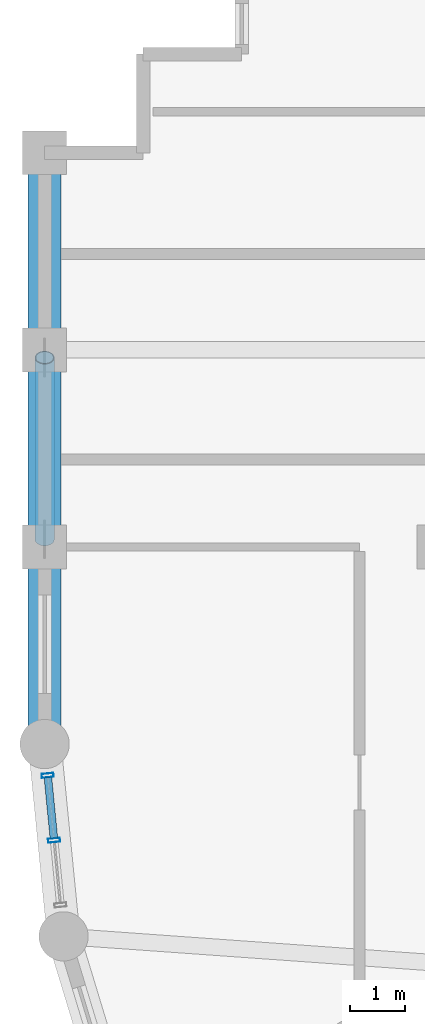
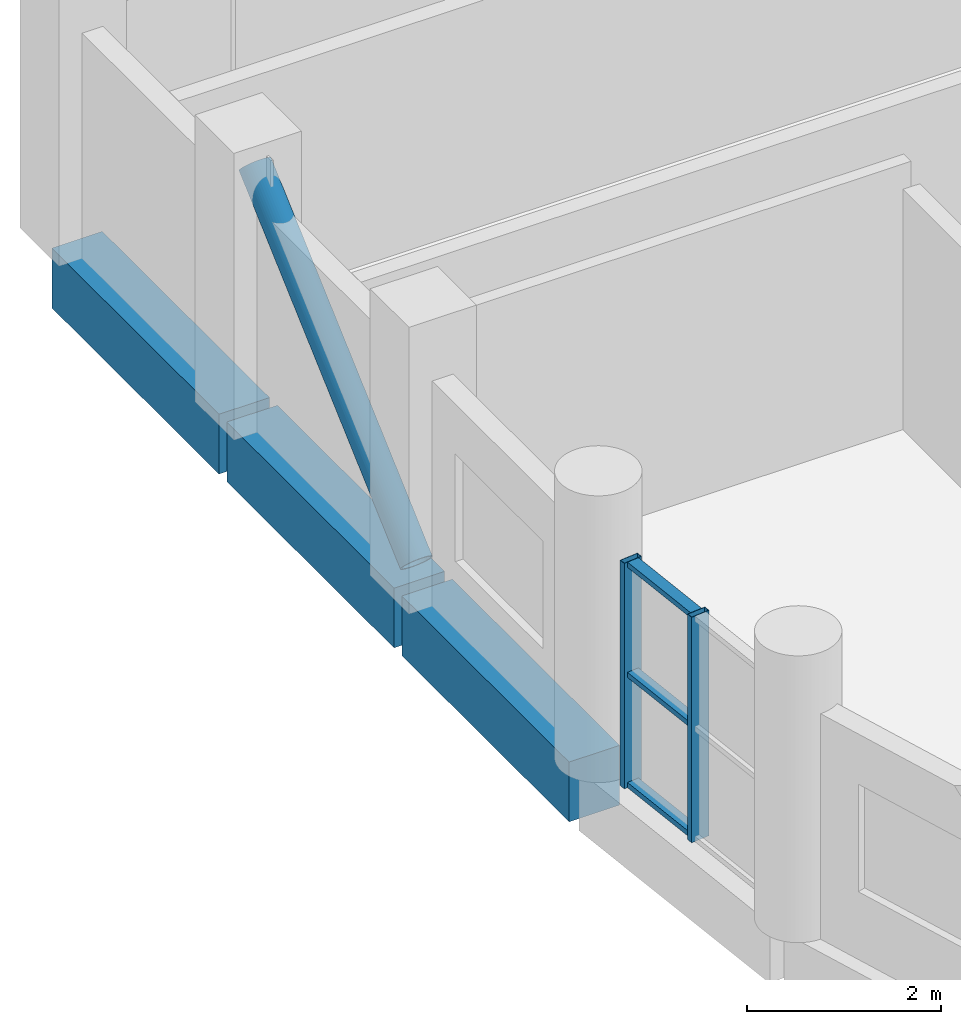
# One storey, part 5 of 11: 6 members, 3 beams, 1 element without a shape of its own.
"""IFC4 building model written with IfcOpenShell, lengths in metres."""

from ifc_helpers import new_model, si_unit, direction, frame, origin, origin_2d, place, context, subcontext, project, spatial, rectangle, hollow_rectangle, hollow_circle, extrude, material, layer, layer_set, material_profile, profile_set, type_object, element, aggregate, save


model = new_model("IFC4")

# Units and contexts
model_context = context("Model", 3, precision=1e-05, world=origin(), true_north=direction((0.0, 1.0)))
body_context = subcontext(model_context, "Body", "Model", "MODEL_VIEW")
ifc_project = project(units=[si_unit("LENGTHUNIT", "METRE"), si_unit("AREAUNIT", "SQUARE_METRE"), si_unit("VOLUMEUNIT", "CUBIC_METRE"), si_unit("PLANEANGLEUNIT", "RADIAN"), si_unit("MASSUNIT", "GRAM", prefix="KILO")], contexts=[model_context])

# Site, building, storey
site_placement = place(None, origin())
site = spatial("IfcSite", under=ifc_project, at=site_placement, CompositionType="ELEMENT")
building_placement = place(site_placement, origin())
building = spatial("IfcBuilding", under=site, at=building_placement, Name="Solnavia Interchange Tower", CompositionType="ELEMENT")
storey_placement = place(building_placement, frame((0.0, 0.0, 273.800048828125)))
storey = spatial("IfcBuildingStorey", under=building, at=storey_placement, Name="L69", CompositionType="ELEMENT", Elevation=273.800048828125)

# Beams
ifc_material_1 = material(Name="Concrete C50/60", Category="concrete")
ifc_material_profile_1 = material_profile(ifc_material_1, rectangle(XDim=0.60009765625, YDim=0.75, at=origin_2d()), Name="RC 600x750")
ifc_profile_set_1 = profile_set([ifc_material_profile_1], Name="Concrete C50/60")
beam_type = type_object("IfcBeamType", Name="Beam-Spandrel-RC600x750", PredefinedType="SPANDREL", material=ifc_profile_set_1)
beam_1_placement = place(storey_placement, frame((7.199951171875, 32.320068359375, -0.375), z_axis=(0.0, -1.0, 0.0), x_axis=(1.0, 0.0, 0.0)))
element("IfcBeam", 1, at=beam_1_placement, inside=storey, type_object=beam_type, Name="SPB-L69-25 Framed-tube perimeter spandrel beam", PredefinedType="SPANDREL", context=body_context, shape_type="SweptSolid", body=[
    extrude(rectangle(XDim=0.60009765625, YDim=0.75, at=origin_2d()), origin(), (0.0, 0.0, 1.0), 3.440185546875),
])
beam_2_placement = place(storey_placement, frame((7.199951171875, 28.719970703125, -0.375), z_axis=(0.0, -1.0, 0.0), x_axis=(1.0, 0.0, 0.0)))
element("IfcBeam", 2, at=beam_2_placement, inside=storey, type_object=beam_type, Name="SPB-L69-26 Framed-tube perimeter spandrel beam", PredefinedType="SPANDREL", context=body_context, shape_type="SweptSolid", body=[
    extrude(rectangle(XDim=0.60009765625, YDim=0.75, at=origin_2d()), origin(), (0.0, 0.0, 1.0), 3.43994140625),
])
beam_3_placement = place(storey_placement, frame((7.199951171875, 25.1201171875, -0.375), z_axis=(0.0, -1.0, 0.0), x_axis=(1.0, 0.0, 0.0)))
element("IfcBeam", 3, at=beam_3_placement, inside=storey, type_object=beam_type, Name="SPB-L69-27 Framed-tube perimeter spandrel beam", PredefinedType="SPANDREL", context=body_context, shape_type="SweptSolid", body=[
    extrude(rectangle(XDim=0.60009765625, YDim=0.75, at=origin_2d()), origin(), (0.0, 0.0, 1.0), 3.440185546875),
])

# Member
ifc_material_2 = material(Name="Steel S460", Category="steel")
ifc_material_profile_2 = material_profile(ifc_material_2, hollow_circle(Radius=0.177734375, WallThickness=0.01611328125, at=origin_2d()), Name="CHS 355.6x16")
ifc_profile_set_2 = profile_set([ifc_material_profile_2], Name="Steel S460")
member_type_1 = type_object("IfcMemberType", Name="Brace-Perim-CHS355", PredefinedType="BRACE", material=ifc_profile_set_2)
member_1_placement = place(storey_placement, frame((7.199951171875, 25.340087890625, 0.179931640625), z_axis=(0.0, 0.743054991638, 0.669230363479), x_axis=(-1.0, 0.0, 0.0)))
element("IfcMember", 4, at=member_1_placement, inside=storey, type_object=member_type_1, Name="BRC-L69-01 Perimeter tube diagonal brace", PredefinedType="BRACE", context=body_context, shape_type="SweptSolid", body=[
    extrude(hollow_circle(Radius=0.177734375, WallThickness=0.01611328125, at=origin_2d()), origin(), (0.0, 0.0, 1.0), 4.4677734375),
])

# Curtain wall, members
ifc_material_3 = material(Name="Aluminium Alloy 6063-T6", Category="aluminium")
ifc_layer = layer(ifc_material_3, 0.239990234375)
ifc_layer_set = layer_set([ifc_layer], Name="Aluminium Alloy 6063-T6")
curtain_wall_type = type_object("IfcCurtainWallType", Name="CurtainWall-Drum-CTW2", PredefinedType="NOTDEFINED", material=ifc_layer_set)
curtain_wall_placement = place(storey_placement, origin())
curtain_wall = element("IfcCurtainWall", 5, at=curtain_wall_placement, inside=storey, type_object=curtain_wall_type, Name="CTW-L69-D37 CTW-2 curtain wall", PredefinedType="NOTDEFINED")
ifc_material_profile_3 = material_profile(ifc_material_3, hollow_rectangle(XDim=0.074951171875, YDim=0.219970703125, WallThickness=0.0048828125, at=origin_2d()), Name="ALU 220x75x5")
ifc_profile_set_3 = profile_set([ifc_material_profile_3], Name="Aluminium Alloy 6063-T6")
member_type_2 = type_object("IfcMemberType", Name="CW-Mullion-CWM-2", PredefinedType="MULLION", material=ifc_profile_set_3)
member_2_placement = place(storey_placement, frame((7.25634765625, 21.02783203125, 0.0), z_axis=(0.0, 0.0, 1.0), x_axis=(0.098043088306, -0.995182170678, 0.0)))
member_2 = element("IfcMember", 6, at=member_2_placement, type_object=member_type_2, Name="CTW-2 mullion 1", PredefinedType="MULLION", context=body_context, shape_type="SweptSolid", body=[
    extrude(hollow_rectangle(XDim=0.074951171875, YDim=0.219970703125, WallThickness=0.0048828125, at=origin_2d()), origin(), (0.0, 0.0, 1.0), 2.829833984375),
])
member_3_placement = place(storey_placement, frame((7.373046875, 19.843994140625, 0.0), z_axis=(0.0, 0.0, 1.0), x_axis=(0.098043088306, -0.995182170678, 0.0)))
member_3 = element("IfcMember", 7, at=member_3_placement, type_object=member_type_2, Name="CTW-2 mullion 2", PredefinedType="MULLION", context=body_context, shape_type="SweptSolid", body=[
    extrude(hollow_rectangle(XDim=0.074951171875, YDim=0.219970703125, WallThickness=0.0048828125, at=origin_2d()), origin(), (0.0, 0.0, 1.0), 2.829833984375),
])
ifc_material_profile_4 = material_profile(ifc_material_3, hollow_rectangle(XDim=0.06494140625, YDim=0.139892578125, WallThickness=0.00390625, at=origin_2d()), Name="ALU 140x65x4")
ifc_profile_set_4 = profile_set([ifc_material_profile_4], Name="Aluminium Alloy 6063-T6")
member_type_3 = type_object("IfcMemberType", Name="CW-Transom-CWT-2", PredefinedType="USERDEFINED", material=ifc_profile_set_4)
member_4_placement = place(storey_placement, frame((7.260009765625, 20.990478515625, 0.032470703125), z_axis=(0.098137234257, -0.995172891136, 0.0), x_axis=(0.0, 0.0, 1.0)))
member_4 = element("IfcMember", 8, at=member_4_placement, type_object=member_type_3, Name="CTW-2 transom 1.1", ObjectType="TRANSOM", PredefinedType="USERDEFINED", context=body_context, shape_type="SweptSolid", body=[
    extrude(hollow_rectangle(XDim=0.06494140625, YDim=0.139892578125, WallThickness=0.00390625, at=origin_2d()), origin(), (0.0, 0.0, 1.0), 1.114501953125),
])
member_5_placement = place(storey_placement, frame((7.260009765625, 20.990478515625, 1.4150390625), z_axis=(0.098137234257, -0.995172891136, 0.0), x_axis=(0.0, 0.0, 1.0)))
member_5 = element("IfcMember", 9, at=member_5_placement, type_object=member_type_3, Name="CTW-2 transom 1.2", ObjectType="TRANSOM", PredefinedType="USERDEFINED", context=body_context, shape_type="SweptSolid", body=[
    extrude(hollow_rectangle(XDim=0.06494140625, YDim=0.139892578125, WallThickness=0.00390625, at=origin_2d()), origin(), (0.0, 0.0, 1.0), 1.114501953125),
])
member_6_placement = place(storey_placement, frame((7.260009765625, 20.990478515625, 2.79736328125), z_axis=(0.098137234257, -0.995172891136, 0.0), x_axis=(0.0, 0.0, 1.0)))
member_6 = element("IfcMember", 10, at=member_6_placement, type_object=member_type_3, Name="CTW-2 transom 1.3", ObjectType="TRANSOM", PredefinedType="USERDEFINED", context=body_context, shape_type="SweptSolid", body=[
    extrude(hollow_rectangle(XDim=0.06494140625, YDim=0.139892578125, WallThickness=0.00390625, at=origin_2d()), origin(), (0.0, 0.0, 1.0), 1.114501953125),
])
aggregate(curtain_wall, [member_2, member_3, member_4, member_5, member_6])

save(model, "model.ifc")
